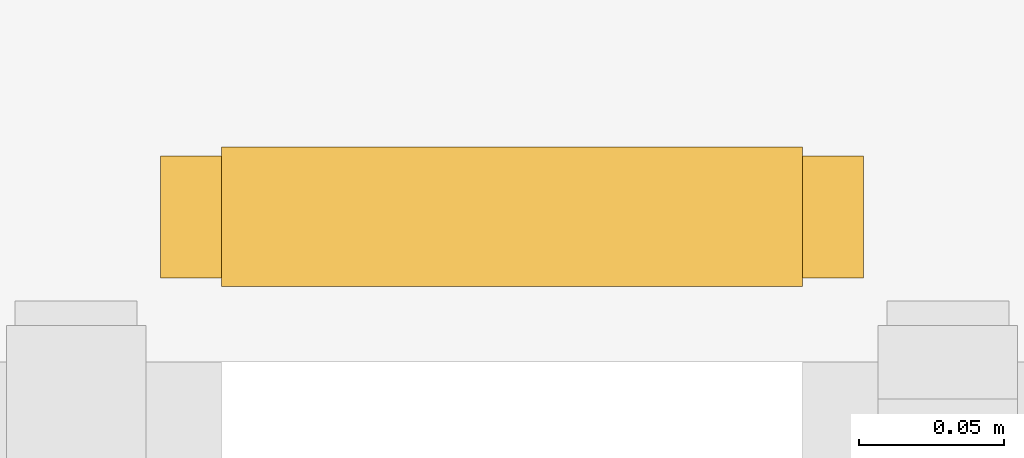
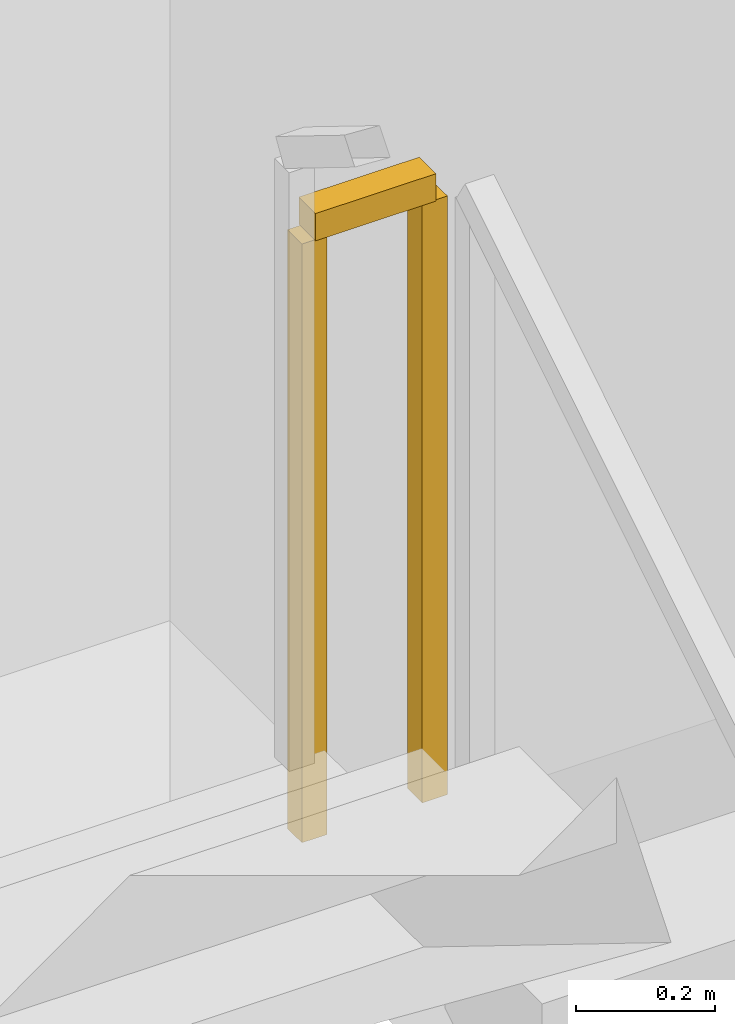
# One storey, part 20 of 20: 1 railing.
"""IFC4 building model written with IfcOpenShell, lengths in metres."""

from ifc_helpers import new_model, si_unit, direction, frame, origin, origin_2d, place, context, subcontext, project, spatial, rectangle, extrude, material, type_object, element, save


model = new_model("IFC4")

# Units and contexts
model_context = context("Model", 3, precision=1e-05, world=origin(), true_north=direction((0.0, 1.0)))
body_context = subcontext(model_context, "Body", "Model", "MODEL_VIEW")
ifc_project = project(units=[si_unit("LENGTHUNIT", "METRE"), si_unit("AREAUNIT", "SQUARE_METRE"), si_unit("VOLUMEUNIT", "CUBIC_METRE"), si_unit("PLANEANGLEUNIT", "RADIAN"), si_unit("MASSUNIT", "GRAM", prefix="KILO")], contexts=[model_context])

# Site, building, storey
site_placement = place(None, origin())
site = spatial("IfcSite", under=ifc_project, at=site_placement, CompositionType="ELEMENT")
building_placement = place(site_placement, origin())
building = spatial("IfcBuilding", under=site, at=building_placement, Name="Kiyonajd Concourse Tower", CompositionType="ELEMENT")
storey_placement = place(building_placement, frame((0.0, 0.0, -4.5)))
storey = spatial("IfcBuildingStorey", under=building, at=storey_placement, Name="B1", CompositionType="ELEMENT", Elevation=-4.5)

# Railing
ifc_material = material(Name="Steel ASTM A500 Grade C", Category="steel")
railing_type = type_object("IfcRailingType", Name="RL-GRD-STR", PredefinedType="GUARDRAIL", material=ifc_material)
railing_placement = place(storey_placement, frame((84.89990234375, 33.06005859375, 2.25)))
element("IfcRailing", 1, at=railing_placement, inside=storey, type_object=railing_type, Name="B1 ST5 stair guard 2", PredefinedType="GUARDRAIL", context=body_context, shape_type="SweptSolid", body=[
    extrude(rectangle(XDim=0.048095703125, YDim=0.048095703125, at=origin_2d()), frame((0.0, 0.0, 1.076171875), z_axis=(-1.0, 0.0, 0.0), x_axis=(0.0, -1.0, 0.0)), (0.0, 0.0, 1.0), 0.199951171875),
    extrude(rectangle(XDim=0.0419921875, YDim=0.0419921875, at=origin_2d()), origin(), (0.0, 0.0, 1.0), 1.052001953125),
    extrude(rectangle(XDim=0.0419921875, YDim=0.0419921875, at=origin_2d()), frame((-0.199951171875, 0.0, 0.0)), (0.0, 0.0, 1.0), 1.052001953125),
])

save(model, "model.ifc")
